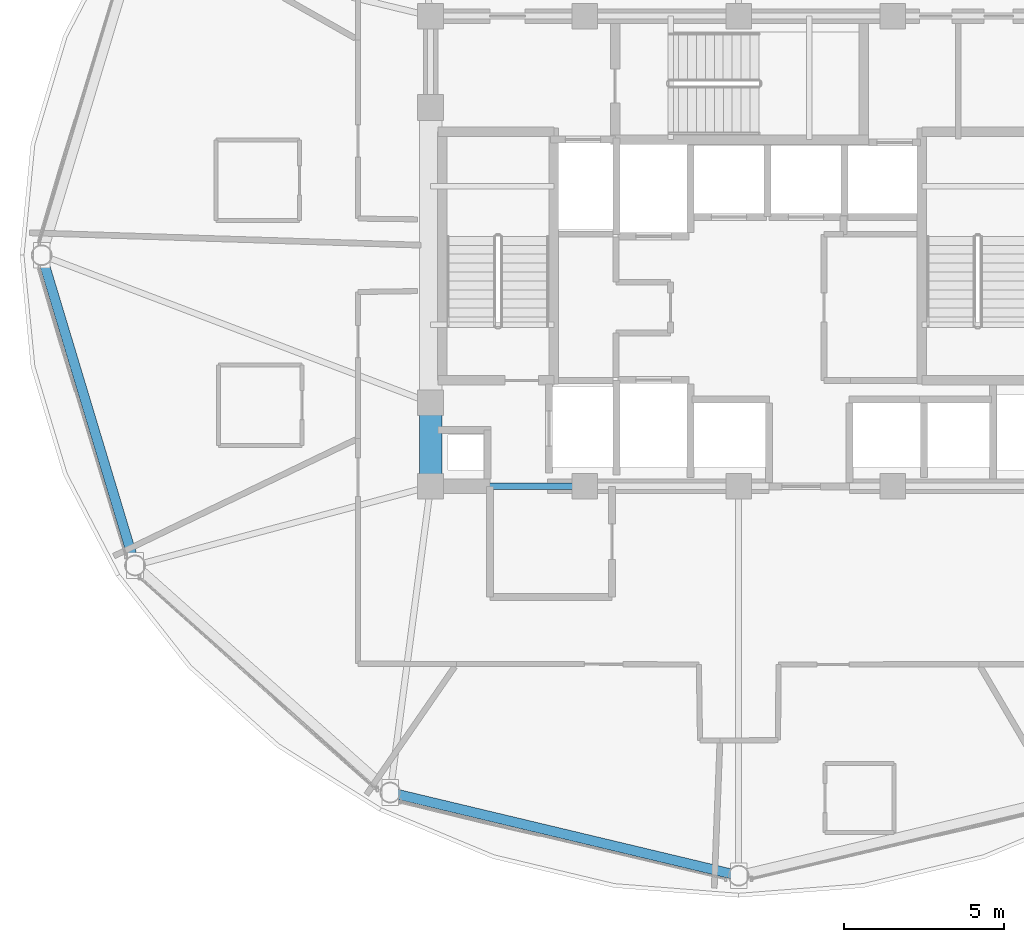
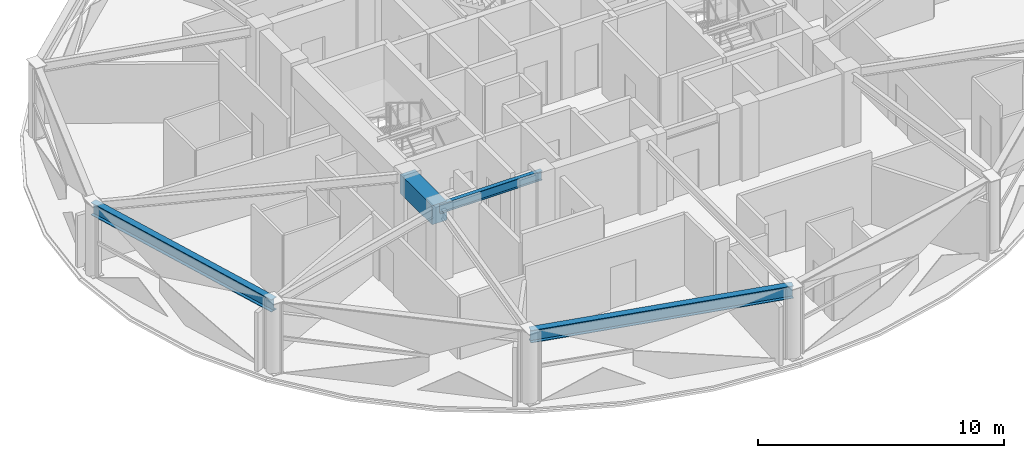
# One storey, part 4 of 28: 4 beams.
"""IFC4 building model written with IfcOpenShell, lengths in metres."""

from ifc_helpers import new_model, si_unit, direction, frame, origin, origin_2d, place, context, subcontext, project, spatial, rectangle, i_section, extrude, material, material_profile, profile_set, type_object, element, save


model = new_model("IFC4")

# Units and contexts
model_context = context("Model", 3, precision=1e-05, world=origin(), true_north=direction((0.0, 1.0)))
body_context = subcontext(model_context, "Body", "Model", "MODEL_VIEW")
ifc_project = project(units=[si_unit("LENGTHUNIT", "METRE"), si_unit("AREAUNIT", "SQUARE_METRE"), si_unit("VOLUMEUNIT", "CUBIC_METRE"), si_unit("PLANEANGLEUNIT", "RADIAN"), si_unit("MASSUNIT", "GRAM", prefix="KILO")], contexts=[model_context])

# Site, building, storey
site_placement = place(None, origin())
site = spatial("IfcSite", under=ifc_project, at=site_placement, CompositionType="ELEMENT")
building_placement = place(site_placement, origin())
building = spatial("IfcBuilding", under=site, at=building_placement, Name="Vantalir Tower", CompositionType="ELEMENT")
storey_placement = place(building_placement, frame((0.0, 0.0, 238.64990234375)))
storey = spatial("IfcBuildingStorey", under=building, at=storey_placement, Name="L60", CompositionType="ELEMENT", Elevation=238.64990234375)

# Beams
ifc_material_1 = material(Name="Concrete C60/75", Category="concrete")
ifc_material_profile_1 = material_profile(ifc_material_1, rectangle(XDim=0.699951171875, YDim=0.949951171875, at=origin_2d()), Name="Concrete C60/75")
ifc_profile_set_1 = profile_set([ifc_material_profile_1], Name="Concrete C60/75")
beam_type_1 = type_object("IfcBeamType", Name="BM-CB-700x950", PredefinedType="USERDEFINED", material=ifc_profile_set_1)
beam_1_placement = place(storey_placement, frame((21.89990234375, 20.39990234375, 3.09521484375), z_axis=(0.0, -1.0, 0.0), x_axis=(1.0, 0.0, 0.0)))
element("IfcBeam", 1, at=beam_1_placement, inside=storey, type_object=beam_type_1, Name="L60 Core Coupling Girder 14", ObjectType="GIRDER", PredefinedType="USERDEFINED", context=body_context, shape_type="SweptSolid", body=[
    extrude(rectangle(XDim=0.699951171875, YDim=0.949951171875, at=origin_2d()), origin(), (0.0, 0.0, 1.0), 2.599853515625),
])
ifc_material_2 = material(Name="Steel S355", Category="steel")
ifc_material_profile_2 = material_profile(ifc_material_2, i_section(OverallWidth=0.19189453125, OverallDepth=0.462890625, WebThickness=0.010498046875, FlangeThickness=0.017578125, at=origin_2d()), Name="Steel S355")
ifc_profile_set_2 = profile_set([ifc_material_profile_2], Name="Steel S355")
beam_type_2 = type_object("IfcBeamType", Name="BM-RB-457x191", PredefinedType="BEAM", material=ifc_profile_set_2)
beam_2_placement = place(storey_placement, frame((21.89990234375, 17.800048828125, 3.338134765625), z_axis=(1.0, 0.0, 0.0), x_axis=(0.0, 1.0, 0.0)))
element("IfcBeam", 2, at=beam_2_placement, inside=storey, type_object=beam_type_2, Name="L60 Core Coupling Girder 01", PredefinedType="BEAM", context=body_context, shape_type="SweptSolid", body=[
    extrude(i_section(OverallWidth=0.19189453125, OverallDepth=0.462890625, WebThickness=0.010498046875, FlangeThickness=0.017578125, at=origin_2d()), origin(), (0.0, 0.0, 1.0), 4.800048828125),
])
ifc_material_3 = material(Name="Steel S460", Category="steel")
ifc_material_profile_3 = material_profile(ifc_material_3, i_section(OverallWidth=0.306884765625, OverallDepth=0.6201171875, WebThickness=0.01416015625, FlangeThickness=0.023681640625, at=origin_2d()), Name="Steel S460")
ifc_profile_set_3 = profile_set([ifc_material_profile_3], Name="Steel S460")
beam_type_3 = type_object("IfcBeamType", Name="BM-RG-610x305", PredefinedType="USERDEFINED", material=ifc_profile_set_3)
beam_3_placement = place(storey_placement, frame((9.781982421875, 25.0, 3.260009765625), z_axis=(0.288239655449, -0.957558301633, 0.0), x_axis=(0.957558301633, 0.288239655449, 0.0)))
element("IfcBeam", 3, at=beam_3_placement, inside=storey, type_object=beam_type_3, Name="L60 Circumferential Ring Girder 07", ObjectType="GIRDER", PredefinedType="USERDEFINED", context=body_context, shape_type="SweptSolid", body=[
    extrude(i_section(OverallWidth=0.306884765625, OverallDepth=0.6201171875, WebThickness=0.01416015625, FlangeThickness=0.023681640625, at=origin_2d()), origin(), (0.0, 0.0, 1.0), 10.095458984375),
])
beam_4_placement = place(storey_placement, frame((20.64111328125, 8.257080078125, 3.260009765625), z_axis=(0.97271250926, -0.23201373737, 0.0), x_axis=(0.23201373737, 0.97271250926, 0.0)))
element("IfcBeam", 4, at=beam_4_placement, inside=storey, type_object=beam_type_3, Name="L60 Circumferential Ring Girder 09", ObjectType="GIRDER", PredefinedType="USERDEFINED", context=body_context, shape_type="SweptSolid", body=[
    extrude(i_section(OverallWidth=0.306884765625, OverallDepth=0.6201171875, WebThickness=0.01416015625, FlangeThickness=0.023681640625, at=origin_2d()), origin(), (0.0, 0.0, 1.0), 11.16357421875),
])

save(model, "model.ifc")
